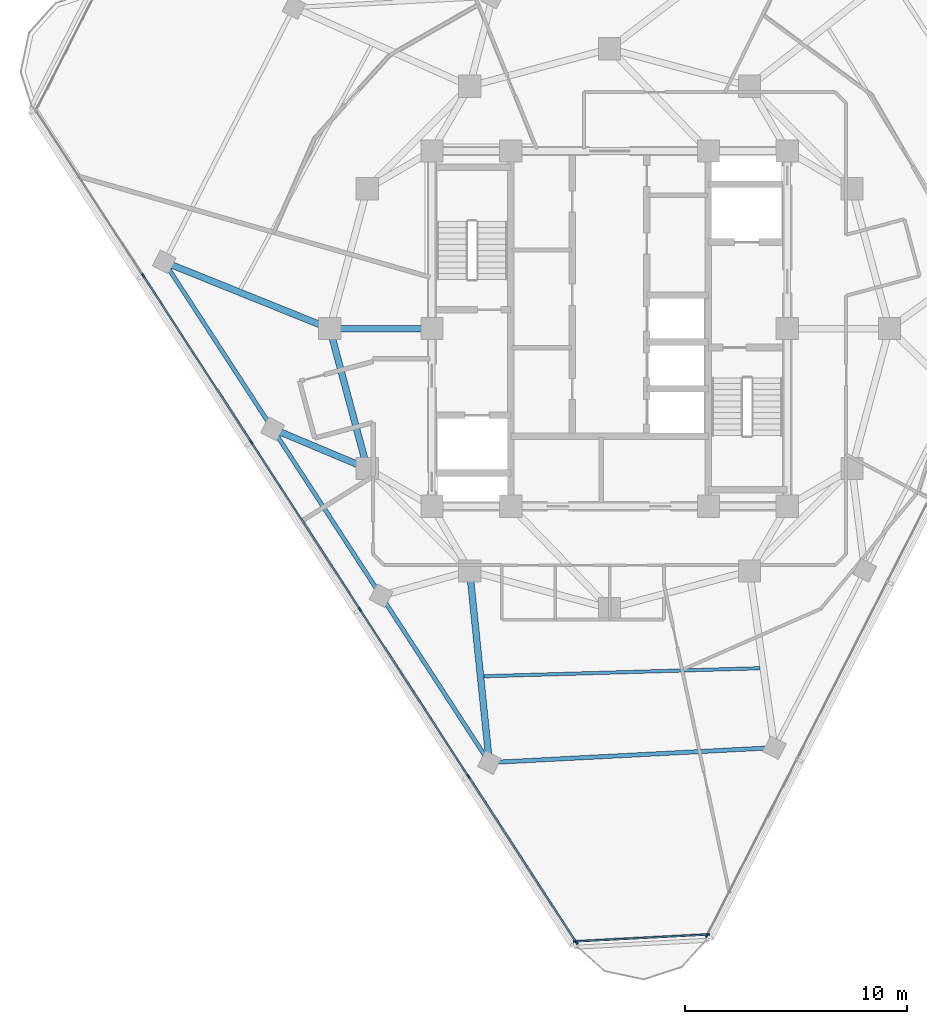
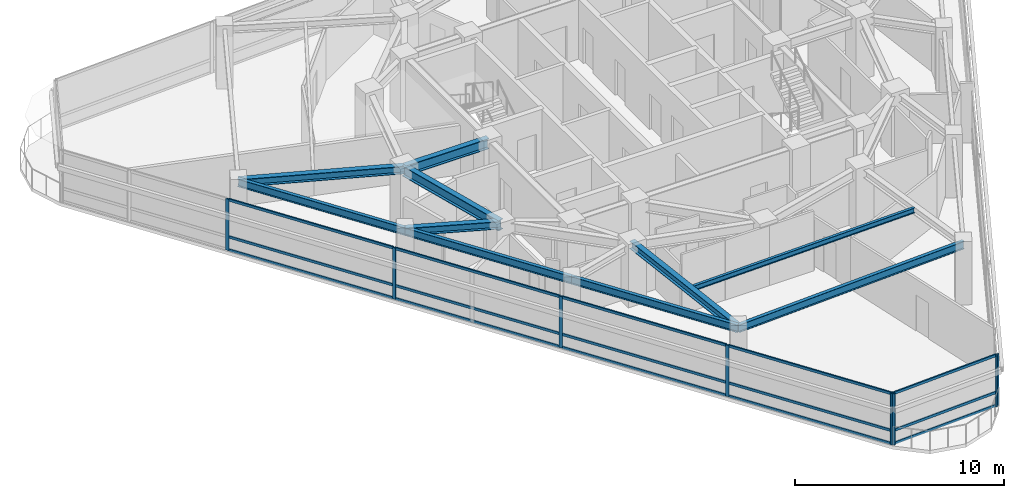
# One storey, part 2 of 15: 23 members, 10 beams, 3 elements without a shape of their own.
"""IFC4 building model written with IfcOpenShell, lengths in metres."""

from ifc_helpers import new_model, si_unit, direction, frame, origin, origin_2d, place, context, subcontext, project, spatial, rectangle, i_section, extrude, material, layer, layer_set, material_profile, profile_set, type_object, element, aggregate, save


model = new_model("IFC4")

# Units and contexts
model_context = context("Model", 3, precision=1e-05, world=origin(), true_north=direction((0.0, 1.0)))
body_context = subcontext(model_context, "Body", "Model", "MODEL_VIEW")
ifc_project = project(units=[si_unit("LENGTHUNIT", "METRE"), si_unit("AREAUNIT", "SQUARE_METRE"), si_unit("VOLUMEUNIT", "CUBIC_METRE"), si_unit("PLANEANGLEUNIT", "RADIAN"), si_unit("MASSUNIT", "GRAM", prefix="KILO")], contexts=[model_context])

# Site, building, storey
site_placement = place(None, origin())
site = spatial("IfcSite", under=ifc_project, at=site_placement, CompositionType="ELEMENT")
building_placement = place(site_placement, origin())
building = spatial("IfcBuilding", under=site, at=building_placement, Name="Terralouvre Media Tower", CompositionType="ELEMENT")
storey_placement = place(building_placement, frame((0.0, 0.0, 259.60009765625)))
storey = spatial("IfcBuildingStorey", under=building, at=storey_placement, Name="L67", CompositionType="ELEMENT", Elevation=259.60009765625)

# Beam
ifc_material_1 = material(Name="Structural steel S355J2", Category="steel")
ifc_material_profile_1 = material_profile(ifc_material_1, i_section(OverallWidth=0.14990234375, OverallDepth=0.300048828125, WebThickness=0.007080078125, FlangeThickness=0.0107421875, at=origin_2d()), Name="IPE 300")
ifc_profile_set_1 = profile_set([ifc_material_profile_1], Name="Structural steel S355J2")
beam_type_1 = type_object("IfcBeamType", Name="Composite Floor Joist J-IPE300 (IPE 300)", PredefinedType="JOIST", material=ifc_profile_set_1)
beam_1_placement = place(storey_placement, frame((-5.662353515625, -15.653564453125, 3.349853515625), z_axis=(0.999577320821, 0.029071974473, 0.0), x_axis=(-0.029071974473, 0.999577320821, 0.0)))
element("IfcBeam", 1, at=beam_1_placement, inside=storey, type_object=beam_type_1, Name="L67 Framing Beam JT-L67-01", PredefinedType="JOIST", context=body_context, shape_type="SweptSolid", body=[
    extrude(i_section(OverallWidth=0.14990234375, OverallDepth=0.300048828125, WebThickness=0.007080078125, FlangeThickness=0.0107421875, at=origin_2d()), origin(), (0.0, 0.0, 1.0), 12.437255859375),
])

# Curtain wall, members
ifc_material_2 = material(Name="Low-iron laminated double glazing with solar-control coating", Category="glass")
ifc_layer_1 = layer(ifc_material_2, 0.1650390625, Name="Upper Executive Tower Curtain Wall CW-05")
ifc_layer_set_1 = layer_set([ifc_layer_1], Name="Low-iron laminated double glazing with solar-control coating")
curtain_wall_type_1 = type_object("IfcCurtainWallType", Name="Upper Executive Tower Curtain Wall CW-05", PredefinedType="NOTDEFINED", material=ifc_layer_set_1)
curtain_wall_1_placement = place(storey_placement, origin())
curtain_wall_1 = element("IfcCurtainWall", 2, at=curtain_wall_1_placement, inside=storey, type_object=curtain_wall_type_1, Name="L67 Facade Curtain Wall F2", PredefinedType="NOTDEFINED")
ifc_material_3 = material(Name="Anodised extruded aluminium 6063-T6", Category="aluminium")
ifc_material_profile_2 = material_profile(ifc_material_3, rectangle(XDim=0.074951171875, YDim=0.14990234375, at=origin_2d()), Name="ALU 75x150")
ifc_profile_set_2 = profile_set([ifc_material_profile_2], Name="Anodised extruded aluminium 6063-T6")
member_type_1 = type_object("IfcMemberType", Name="Curtain-Wall Horizontal Transom TR-150", PredefinedType="USERDEFINED", material=ifc_profile_set_2)
member_1_placement = place(storey_placement, frame((-20.98046875, 2.355712890625, 0.037353515625), z_axis=(0.544647362145, -0.838665160185, 0.0), x_axis=(0.838665160185, 0.544647362145, 0.0)))
member_1 = element("IfcMember", 3, at=member_1_placement, type_object=member_type_1, Name="CW-05 transom 2.1", ObjectType="TRANSOM", PredefinedType="USERDEFINED", context=body_context, shape_type="SweptSolid", body=[
    extrude(rectangle(XDim=0.074951171875, YDim=0.14990234375, at=origin_2d()), origin(), (0.0, 0.0, 1.0), 8.884765625),
])
member_2_placement = place(storey_placement, frame((-20.98046875, 2.355712890625, 0.7998046875), z_axis=(0.544647362145, -0.838665160185, 0.0), x_axis=(0.838665160185, 0.544647362145, 0.0)))
member_2 = element("IfcMember", 4, at=member_2_placement, type_object=member_type_1, Name="CW-05 transom 2.2", ObjectType="TRANSOM", PredefinedType="USERDEFINED", context=body_context, shape_type="SweptSolid", body=[
    extrude(rectangle(XDim=0.074951171875, YDim=0.14990234375, at=origin_2d()), origin(), (0.0, 0.0, 1.0), 8.884765625),
])
member_3_placement = place(storey_placement, frame((-20.98046875, 2.355712890625, 2.96240234375), z_axis=(0.544647362145, -0.838665160185, 0.0), x_axis=(0.838665160185, 0.544647362145, 0.0)))
member_3 = element("IfcMember", 5, at=member_3_placement, type_object=member_type_1, Name="CW-05 transom 2.3", ObjectType="TRANSOM", PredefinedType="USERDEFINED", context=body_context, shape_type="SweptSolid", body=[
    extrude(rectangle(XDim=0.074951171875, YDim=0.14990234375, at=origin_2d()), origin(), (0.0, 0.0, 1.0), 8.884765625),
])
member_4_placement = place(storey_placement, frame((-16.1005859375, -5.15869140625, 0.037353515625), z_axis=(0.544634810925, -0.838673311087, 0.0), x_axis=(0.838673311087, 0.544634810925, 0.0)))
member_4 = element("IfcMember", 6, at=member_4_placement, type_object=member_type_1, Name="CW-05 transom 3.1", ObjectType="TRANSOM", PredefinedType="USERDEFINED", context=body_context, shape_type="SweptSolid", body=[
    extrude(rectangle(XDim=0.074951171875, YDim=0.14990234375, at=origin_2d()), origin(), (0.0, 0.0, 1.0), 8.885009765625),
])
member_5_placement = place(storey_placement, frame((-16.1005859375, -5.15869140625, 0.7998046875), z_axis=(0.544634810925, -0.838673311087, 0.0), x_axis=(0.838673311087, 0.544634810925, 0.0)))
member_5 = element("IfcMember", 7, at=member_5_placement, type_object=member_type_1, Name="CW-05 transom 3.2", ObjectType="TRANSOM", PredefinedType="USERDEFINED", context=body_context, shape_type="SweptSolid", body=[
    extrude(rectangle(XDim=0.074951171875, YDim=0.14990234375, at=origin_2d()), origin(), (0.0, 0.0, 1.0), 8.885009765625),
])
member_6_placement = place(storey_placement, frame((-16.1005859375, -5.15869140625, 2.96240234375), z_axis=(0.544634810925, -0.838673311087, 0.0), x_axis=(0.838673311087, 0.544634810925, 0.0)))
member_6 = element("IfcMember", 8, at=member_6_placement, type_object=member_type_1, Name="CW-05 transom 3.3", ObjectType="TRANSOM", PredefinedType="USERDEFINED", context=body_context, shape_type="SweptSolid", body=[
    extrude(rectangle(XDim=0.074951171875, YDim=0.14990234375, at=origin_2d()), origin(), (0.0, 0.0, 1.0), 8.885009765625),
])
member_7_placement = place(storey_placement, frame((-11.220458984375, -12.673095703125, 0.037353515625), z_axis=(0.544634810925, -0.838673311087, 0.0), x_axis=(0.838673311087, 0.544634810925, 0.0)))
member_7 = element("IfcMember", 9, at=member_7_placement, type_object=member_type_1, Name="CW-05 transom 4.1", ObjectType="TRANSOM", PredefinedType="USERDEFINED", context=body_context, shape_type="SweptSolid", body=[
    extrude(rectangle(XDim=0.074951171875, YDim=0.14990234375, at=origin_2d()), origin(), (0.0, 0.0, 1.0), 8.885009765625),
])
member_8_placement = place(storey_placement, frame((-11.220458984375, -12.673095703125, 0.7998046875), z_axis=(0.544634810925, -0.838673311087, 0.0), x_axis=(0.838673311087, 0.544634810925, 0.0)))
member_8 = element("IfcMember", 10, at=member_8_placement, type_object=member_type_1, Name="CW-05 transom 4.2", ObjectType="TRANSOM", PredefinedType="USERDEFINED", context=body_context, shape_type="SweptSolid", body=[
    extrude(rectangle(XDim=0.074951171875, YDim=0.14990234375, at=origin_2d()), origin(), (0.0, 0.0, 1.0), 8.885009765625),
])
member_9_placement = place(storey_placement, frame((-11.220458984375, -12.673095703125, 2.96240234375), z_axis=(0.544634810925, -0.838673311087, 0.0), x_axis=(0.838673311087, 0.544634810925, 0.0)))
member_9 = element("IfcMember", 11, at=member_9_placement, type_object=member_type_1, Name="CW-05 transom 4.3", ObjectType="TRANSOM", PredefinedType="USERDEFINED", context=body_context, shape_type="SweptSolid", body=[
    extrude(rectangle(XDim=0.074951171875, YDim=0.14990234375, at=origin_2d()), origin(), (0.0, 0.0, 1.0), 8.885009765625),
])
member_10_placement = place(storey_placement, frame((-6.340576171875, -20.187744140625, 0.037353515625), z_axis=(0.544630398361, -0.838676176591, 0.0), x_axis=(0.838676176591, 0.544630398361, 0.0)))
member_10 = element("IfcMember", 12, at=member_10_placement, type_object=member_type_1, Name="CW-05 transom 5.1", ObjectType="TRANSOM", PredefinedType="USERDEFINED", context=body_context, shape_type="SweptSolid", body=[
    extrude(rectangle(XDim=0.074951171875, YDim=0.14990234375, at=origin_2d()), origin(), (0.0, 0.0, 1.0), 8.847412109375),
])
member_11_placement = place(storey_placement, frame((-6.340576171875, -20.187744140625, 0.7998046875), z_axis=(0.544630398361, -0.838676176591, 0.0), x_axis=(0.838676176591, 0.544630398361, 0.0)))
member_11 = element("IfcMember", 13, at=member_11_placement, type_object=member_type_1, Name="CW-05 transom 5.2", ObjectType="TRANSOM", PredefinedType="USERDEFINED", context=body_context, shape_type="SweptSolid", body=[
    extrude(rectangle(XDim=0.074951171875, YDim=0.14990234375, at=origin_2d()), origin(), (0.0, 0.0, 1.0), 8.847412109375),
])
member_12_placement = place(storey_placement, frame((-6.340576171875, -20.187744140625, 2.96240234375), z_axis=(0.544630398361, -0.838676176591, 0.0), x_axis=(0.838676176591, 0.544630398361, 0.0)))
member_12 = element("IfcMember", 14, at=member_12_placement, type_object=member_type_1, Name="CW-05 transom 5.3", ObjectType="TRANSOM", PredefinedType="USERDEFINED", context=body_context, shape_type="SweptSolid", body=[
    extrude(rectangle(XDim=0.074951171875, YDim=0.14990234375, at=origin_2d()), origin(), (0.0, 0.0, 1.0), 8.847412109375),
])

ifc_material_4 = material(Name="Low-iron laminated double glazing with solar-control coating", Category="glass")
ifc_layer_2 = layer(ifc_material_4, 0.1650390625, Name="Rounded Wind-Corner Curved Glazing CW-04")
ifc_layer_set_2 = layer_set([ifc_layer_2], Name="Low-iron laminated double glazing with solar-control coating")
curtain_wall_type_2 = type_object("IfcCurtainWallType", Name="Rounded Wind-Corner Curved Glazing CW-04", PredefinedType="NOTDEFINED", material=ifc_layer_set_2)
curtain_wall_2_placement = place(storey_placement, origin())
curtain_wall_2 = element("IfcCurtainWall", 15, at=curtain_wall_2_placement, inside=storey, type_object=curtain_wall_type_2, Name="L67 Rounded Wind-Corner Curtain Wall C0", PredefinedType="NOTDEFINED")
member_13_placement = place(storey_placement, frame((-1.51416015625, -27.59228515625, 0.037353515625), z_axis=(0.998630348994, 0.052320417325, 0.0), x_axis=(-0.052320417325, 0.998630348994, 0.0)))
member_13 = element("IfcMember", 16, at=member_13_placement, type_object=member_type_1, Name="CW-04 transom 1.1", ObjectType="TRANSOM", PredefinedType="USERDEFINED", context=body_context, shape_type="SweptSolid", body=[
    extrude(rectangle(XDim=0.074951171875, YDim=0.14990234375, at=origin_2d()), origin(), (0.0, 0.0, 1.0), 5.912109375),
])
member_14_placement = place(storey_placement, frame((-1.51416015625, -27.59228515625, 0.7998046875), z_axis=(0.998630348994, 0.052320417325, 0.0), x_axis=(-0.052320417325, 0.998630348994, 0.0)))
member_14 = element("IfcMember", 17, at=member_14_placement, type_object=member_type_1, Name="CW-04 transom 1.2", ObjectType="TRANSOM", PredefinedType="USERDEFINED", context=body_context, shape_type="SweptSolid", body=[
    extrude(rectangle(XDim=0.074951171875, YDim=0.14990234375, at=origin_2d()), origin(), (0.0, 0.0, 1.0), 5.912109375),
])
member_15_placement = place(storey_placement, frame((-1.51416015625, -27.59228515625, 2.96240234375), z_axis=(0.998630348994, 0.052320417325, 0.0), x_axis=(-0.052320417325, 0.998630348994, 0.0)))
member_15 = element("IfcMember", 18, at=member_15_placement, type_object=member_type_1, Name="CW-04 transom 1.3", ObjectType="TRANSOM", PredefinedType="USERDEFINED", context=body_context, shape_type="SweptSolid", body=[
    extrude(rectangle(XDim=0.074951171875, YDim=0.14990234375, at=origin_2d()), origin(), (0.0, 0.0, 1.0), 5.912109375),
])

# Curtain wall, member
curtain_wall_3_placement = place(storey_placement, origin())
curtain_wall_3 = element("IfcCurtainWall", 19, at=curtain_wall_3_placement, inside=storey, type_object=curtain_wall_type_1, Name="L67 Facade Curtain Wall F0", PredefinedType="NOTDEFINED")
ifc_material_5 = material(Name="Anodised extruded aluminium 6063-T6", Category="aluminium")
ifc_material_profile_3 = material_profile(ifc_material_5, rectangle(XDim=0.074951171875, YDim=0.179931640625, at=origin_2d()), Name="ALU 75x180")
ifc_profile_set_3 = profile_set([ifc_material_profile_3], Name="Anodised extruded aluminium 6063-T6")
member_type_2 = type_object("IfcMemberType", Name="Curtain-Wall Vertical Mullion ML-180", PredefinedType="MULLION", material=ifc_profile_set_3)
member_16_placement = place(storey_placement, frame((4.38232421875, -27.330810546875, 0.0), z_axis=(0.0, 0.0, 1.0), x_axis=(-0.891006553308, 0.45399044259, 0.0)))
member_16 = element("IfcMember", 20, at=member_16_placement, type_object=member_type_2, Name="CW-05 mullion 1", PredefinedType="MULLION", context=body_context, shape_type="SweptSolid", body=[
    extrude(rectangle(XDim=0.074951171875, YDim=0.179931640625, at=origin_2d()), origin(), (0.0, 0.0, 1.0), 3.0),
])
aggregate(curtain_wall_3, [member_16])

# Member
member_17_placement = place(storey_placement, frame((-21.0009765625, 2.38720703125, 0.0), z_axis=(0.0, 0.0, 1.0), x_axis=(0.838670545826, 0.544639069077, 0.0)))
member_17 = element("IfcMember", 21, at=member_17_placement, type_object=member_type_2, Name="CW-05 mullion 2", PredefinedType="MULLION", context=body_context, shape_type="SweptSolid", body=[
    extrude(rectangle(XDim=0.074951171875, YDim=0.179931640625, at=origin_2d()), origin(), (0.0, 0.0, 1.0), 3.0),
])

member_18_placement = place(storey_placement, frame((-16.120849609375, -5.127197265625, 0.0), z_axis=(0.0, 0.0, 1.0), x_axis=(0.838670545826, 0.544639069077, 0.0)))
member_18 = element("IfcMember", 22, at=member_18_placement, type_object=member_type_2, Name="CW-05 mullion 3", PredefinedType="MULLION", context=body_context, shape_type="SweptSolid", body=[
    extrude(rectangle(XDim=0.074951171875, YDim=0.179931640625, at=origin_2d()), origin(), (0.0, 0.0, 1.0), 3.0),
])

member_19_placement = place(storey_placement, frame((-11.240966796875, -12.641845703125, 0.0), z_axis=(0.0, 0.0, 1.0), x_axis=(0.838670545826, 0.544639069077, 0.0)))
member_19 = element("IfcMember", 23, at=member_19_placement, type_object=member_type_2, Name="CW-05 mullion 4", PredefinedType="MULLION", context=body_context, shape_type="SweptSolid", body=[
    extrude(rectangle(XDim=0.074951171875, YDim=0.179931640625, at=origin_2d()), origin(), (0.0, 0.0, 1.0), 3.0),
])

member_20_placement = place(storey_placement, frame((-6.361083984375, -20.15625, 0.0), z_axis=(0.0, 0.0, 1.0), x_axis=(0.838670545826, 0.544639069077, 0.0)))
member_20 = element("IfcMember", 24, at=member_20_placement, type_object=member_type_2, Name="CW-05 mullion 5", PredefinedType="MULLION", context=body_context, shape_type="SweptSolid", body=[
    extrude(rectangle(XDim=0.074951171875, YDim=0.179931640625, at=origin_2d()), origin(), (0.0, 0.0, 1.0), 3.0),
])

member_21_placement = place(storey_placement, frame((-1.50146484375, -27.63916015625, 0.0), z_axis=(0.0, 0.0, 1.0), x_axis=(0.838670545826, 0.544639069077, 0.0)))
member_21 = element("IfcMember", 25, at=member_21_placement, type_object=member_type_2, Name="CW-05 mullion 6", PredefinedType="MULLION", context=body_context, shape_type="SweptSolid", body=[
    extrude(rectangle(XDim=0.074951171875, YDim=0.179931640625, at=origin_2d()), origin(), (0.0, 0.0, 1.0), 3.0),
])

aggregate(curtain_wall_1, [member_17, member_18, member_19, member_20, member_21, member_1, member_2, member_3, member_4, member_5, member_6, member_7, member_8, member_9, member_10, member_11, member_12])

member_22_placement = place(storey_placement, frame((-1.551513671875, -27.59423828125, 0.0), z_axis=(0.0, 0.0, 1.0), x_axis=(-0.05233597552, 0.998629533744, 0.0)))
member_22 = element("IfcMember", 26, at=member_22_placement, type_object=member_type_2, Name="CW-04 mullion 1", PredefinedType="MULLION", context=body_context, shape_type="SweptSolid", body=[
    extrude(rectangle(XDim=0.074951171875, YDim=0.179931640625, at=origin_2d()), origin(), (0.0, 0.0, 1.0), 3.0),
])

member_23_placement = place(storey_placement, frame((4.427490234375, -27.281005859375, 0.0), z_axis=(0.0, 0.0, 1.0), x_axis=(-0.05233597552, 0.998629533744, 0.0)))
member_23 = element("IfcMember", 27, at=member_23_placement, type_object=member_type_2, Name="CW-04 mullion 2", PredefinedType="MULLION", context=body_context, shape_type="SweptSolid", body=[
    extrude(rectangle(XDim=0.074951171875, YDim=0.179931640625, at=origin_2d()), origin(), (0.0, 0.0, 1.0), 3.0),
])

aggregate(curtain_wall_2, [member_22, member_23, member_13, member_14, member_15])

# Beams
ifc_material_6 = material(Name="Structural steel S355J2", Category="steel")
ifc_material_profile_4 = material_profile(ifc_material_6, i_section(OverallWidth=0.18994140625, OverallDepth=0.449951171875, WebThickness=0.009521484375, FlangeThickness=0.0146484375, at=origin_2d()), Name="IPE 450")
ifc_profile_set_4 = profile_set([ifc_material_profile_4], Name="Structural steel S355J2")
beam_type_2 = type_object("IfcBeamType", Name="Perimeter Spandrel Beam SPB-450 (IPE 450)", PredefinedType="SPANDREL", material=ifc_profile_set_4)
beam_2_placement = place(storey_placement, frame((-15.17333984375, -4.51171875, 3.27490234375), z_axis=(0.544643524961, -0.838667652123, 0.0), x_axis=(0.838667652123, 0.544643524961, 0.0)))
element("IfcBeam", 28, at=beam_2_placement, inside=storey, type_object=beam_type_2, Name="L67 Framing Beam BM-L67-PR01", PredefinedType="SPANDREL", context=body_context, shape_type="SweptSolid", body=[
    extrude(i_section(OverallWidth=0.18994140625, OverallDepth=0.449951171875, WebThickness=0.009521484375, FlangeThickness=0.0146484375, at=origin_2d()), origin(), (0.0, 0.0, 1.0), 8.960205078125),
])
beam_3_placement = place(storey_placement, frame((-10.293212890625, -12.0263671875, 3.27490234375), z_axis=(0.544636805853, -0.838672015576, 0.0), x_axis=(0.838672015576, 0.544636805853, 0.0)))
element("IfcBeam", 29, at=beam_3_placement, inside=storey, type_object=beam_type_2, Name="L67 Framing Beam BM-L67-PR02", PredefinedType="SPANDREL", context=body_context, shape_type="SweptSolid", body=[
    extrude(i_section(OverallWidth=0.18994140625, OverallDepth=0.449951171875, WebThickness=0.009521484375, FlangeThickness=0.0146484375, at=origin_2d()), origin(), (0.0, 0.0, 1.0), 8.9599609375),
])
beam_4_placement = place(storey_placement, frame((-5.413330078125, -19.540771484375, 3.27490234375), z_axis=(0.998629710924, 0.052332594613, 0.0), x_axis=(-0.052332594613, 0.998629710924, 0.0)))
element("IfcBeam", 30, at=beam_4_placement, inside=storey, type_object=beam_type_2, Name="L67 Framing Beam BM-L67-PR03", PredefinedType="SPANDREL", context=body_context, shape_type="SweptSolid", body=[
    extrude(i_section(OverallWidth=0.18994140625, OverallDepth=0.449951171875, WebThickness=0.009521484375, FlangeThickness=0.0146484375, at=origin_2d()), origin(), (0.0, 0.0, 1.0), 12.857177734375),
])
beam_5_placement = place(storey_placement, frame((-20.05322265625, 3.002685546875, 3.27490234375), z_axis=(0.544636805853, -0.838672015576, 0.0), x_axis=(0.838672015576, 0.544636805853, 0.0)))
element("IfcBeam", 31, at=beam_5_placement, inside=storey, type_object=beam_type_2, Name="L67 Framing Beam BM-L67-PR12", PredefinedType="SPANDREL", context=body_context, shape_type="SweptSolid", body=[
    extrude(i_section(OverallWidth=0.18994140625, OverallDepth=0.449951171875, WebThickness=0.009521484375, FlangeThickness=0.0146484375, at=origin_2d()), origin(), (0.0, 0.0, 1.0), 8.9599609375),
])
ifc_material_7 = material(Name="Structural steel S355J2", Category="steel")
ifc_material_profile_5 = material_profile(ifc_material_7, i_section(OverallWidth=0.300048828125, OverallDepth=0.449951171875, WebThickness=0.013916015625, FlangeThickness=0.02587890625, at=origin_2d()), Name="HEB 450")
ifc_profile_set_5 = profile_set([ifc_material_profile_5], Name="Structural steel S355J2")
beam_type_3 = type_object("IfcBeamType", Name="Primary Floor Girder B-HEB450 (HEB 450)", PredefinedType="BEAM", material=ifc_profile_set_5)
beam_6_placement = place(storey_placement, frame((-10.911865234375, -6.300048828125, 3.27490234375), z_axis=(-0.922097113404, 0.386958542291, 0.0), x_axis=(-0.386958542291, -0.922097113404, 0.0)))
element("IfcBeam", 32, at=beam_6_placement, inside=storey, type_object=beam_type_3, Name="L67 Framing Beam BM-L67-RD01", PredefinedType="BEAM", context=body_context, shape_type="SweptSolid", body=[
    extrude(i_section(OverallWidth=0.300048828125, OverallDepth=0.449951171875, WebThickness=0.013916015625, FlangeThickness=0.02587890625, at=origin_2d()), origin(), (0.0, 0.0, 1.0), 4.62158203125),
])
beam_7_placement = place(storey_placement, frame((-6.300048828125, -10.911865234375, 3.27490234375), z_axis=(0.102223114396, -0.994761496482, 0.0), x_axis=(0.994761496482, 0.102223114396, 0.0)))
element("IfcBeam", 33, at=beam_7_placement, inside=storey, type_object=beam_type_3, Name="L67 Framing Beam BM-L67-RD03", PredefinedType="BEAM", context=body_context, shape_type="SweptSolid", body=[
    extrude(i_section(OverallWidth=0.300048828125, OverallDepth=0.449951171875, WebThickness=0.013916015625, FlangeThickness=0.02587890625, at=origin_2d()), origin(), (0.0, 0.0, 1.0), 8.67431640625),
])
beam_8_placement = place(storey_placement, frame((-12.60009765625, 0.0, 3.27490234375), z_axis=(-0.927553949727, 0.373689269775, 0.0), x_axis=(-0.373689269775, -0.927553949727, 0.0)))
element("IfcBeam", 34, at=beam_8_placement, inside=storey, type_object=beam_type_3, Name="L67 Framing Beam BM-L67-RD12", PredefinedType="BEAM", context=body_context, shape_type="SweptSolid", body=[
    extrude(i_section(OverallWidth=0.300048828125, OverallDepth=0.449951171875, WebThickness=0.013916015625, FlangeThickness=0.02587890625, at=origin_2d()), origin(), (0.0, 0.0, 1.0), 8.03515625),
])
ifc_material_8 = material(Name="Structural steel S460M", Category="steel")
ifc_material_profile_6 = material_profile(ifc_material_8, i_section(OverallWidth=0.300048828125, OverallDepth=0.60009765625, WebThickness=0.015380859375, FlangeThickness=0.030029296875, at=origin_2d()), Name="HEB 600")
ifc_profile_set_6 = profile_set([ifc_material_profile_6], Name="Structural steel S460M")
beam_type_4 = type_object("IfcBeamType", Name="Primary Floor Girder B-HEB600 (HEB 600)", PredefinedType="BEAM", material=ifc_profile_set_6)
beam_9_placement = place(storey_placement, frame((-12.60009765625, 0.0, 3.199951171875), z_axis=(0.258838989821, -0.965920481897, 0.0), x_axis=(0.965920481897, 0.258838989821, 0.0)))
element("IfcBeam", 35, at=beam_9_placement, inside=storey, type_object=beam_type_4, Name="L67 Framing Beam BM-L67-MR12", PredefinedType="BEAM", context=body_context, shape_type="SweptSolid", body=[
    extrude(i_section(OverallWidth=0.300048828125, OverallDepth=0.60009765625, WebThickness=0.015380859375, FlangeThickness=0.030029296875, at=origin_2d()), origin(), (0.0, 0.0, 1.0), 6.522216796875),
])
beam_10_placement = place(storey_placement, frame((-8.0, 0.0, 3.199951171875), z_axis=(-1.0, 0.0, 0.0), x_axis=(0.0, -1.0, 0.0)))
element("IfcBeam", 36, at=beam_10_placement, inside=storey, type_object=beam_type_4, Name="L67 Framing Beam BM-L67-CM12", PredefinedType="BEAM", context=body_context, shape_type="SweptSolid", body=[
    extrude(i_section(OverallWidth=0.300048828125, OverallDepth=0.60009765625, WebThickness=0.015380859375, FlangeThickness=0.030029296875, at=origin_2d()), origin(), (0.0, 0.0, 1.0), 4.60009765625),
])

save(model, "model.ifc")
